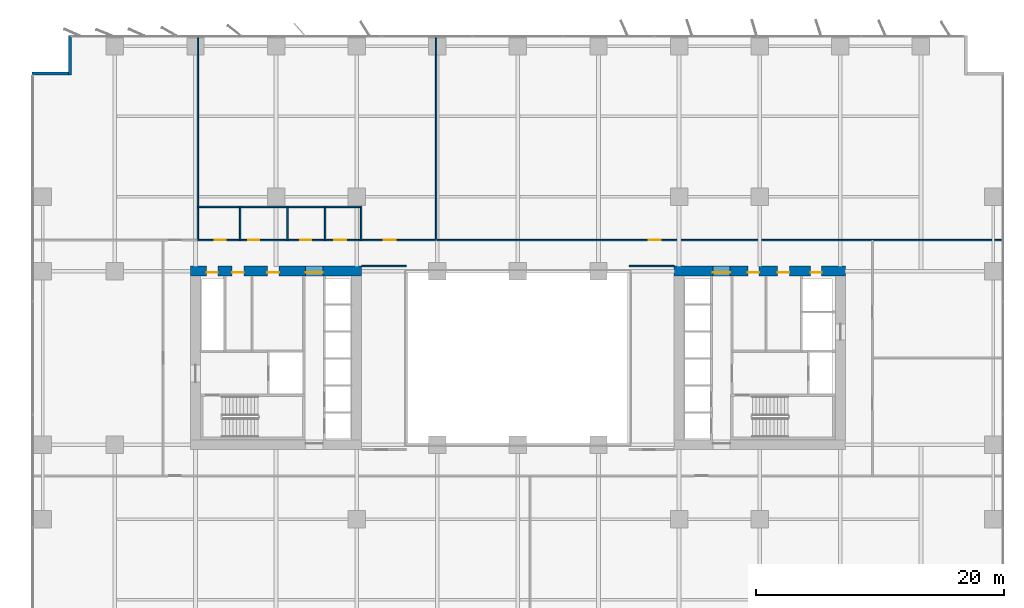
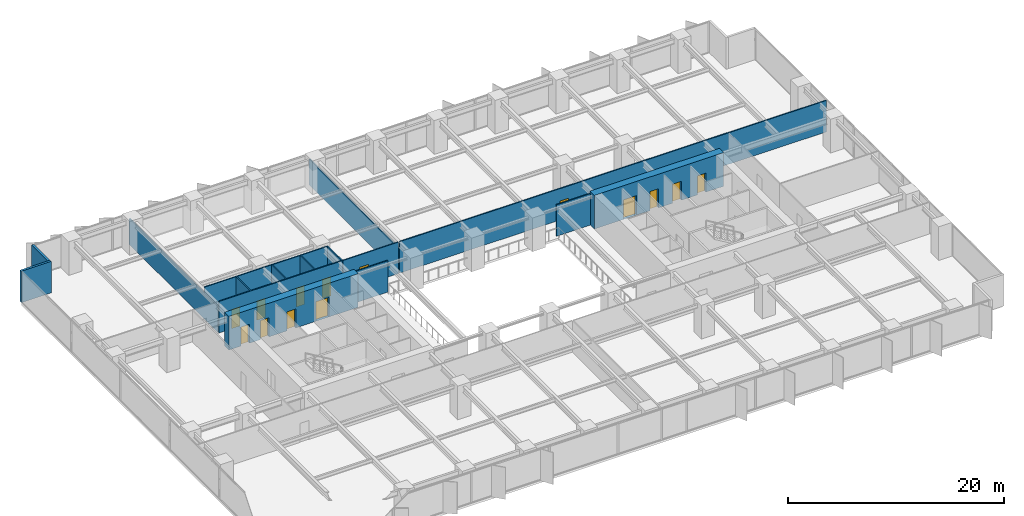
# One storey, part 15 of 20: 16 walls, 14 doors, 14 openings.
"""IFC4 building model written with IfcOpenShell, lengths in metres."""

from ifc_helpers import new_model, si_unit, direction, frame, frame_2d, origin, place, context, subcontext, project, spatial, rectangle, extrude, material, layer, layer_set, type_object, element, fill, save


model = new_model("IFC4")

# Units and contexts
model_context = context("Model", 3, precision=1e-05, world=origin(), true_north=direction((0.0, 1.0)))
body_context = subcontext(model_context, "Body", "Model", "MODEL_VIEW")
ifc_project = project(units=[si_unit("LENGTHUNIT", "METRE"), si_unit("AREAUNIT", "SQUARE_METRE"), si_unit("VOLUMEUNIT", "CUBIC_METRE"), si_unit("PLANEANGLEUNIT", "RADIAN"), si_unit("MASSUNIT", "GRAM", prefix="KILO")], contexts=[model_context])

# Site, building, storey
site_placement = place(None, origin())
site = spatial("IfcSite", under=ifc_project, at=site_placement, CompositionType="ELEMENT")
building_placement = place(site_placement, origin())
building = spatial("IfcBuilding", under=site, at=building_placement, Name="Putna Gate Headquarters", CompositionType="ELEMENT")
storey_placement = place(building_placement, frame((0.0, 0.0, 27.800048828125)))
storey = spatial("IfcBuildingStorey", under=building, at=storey_placement, Name="L05", CompositionType="ELEMENT", Elevation=27.800048828125)

# Wall, openings, doors
ifc_material_1 = material(Name="Concrete C60/75", Category="concrete")
ifc_layer_1 = layer(ifc_material_1, 0.800048828125)
ifc_layer_set_1 = layer_set([ifc_layer_1], Name="Concrete C60/75")
wall_type_1 = type_object("IfcWallType", Name="WALL-CORE-800", PredefinedType="SHEAR", material=ifc_layer_set_1)
wall_1_placement = place(storey_placement, frame((12.60009765625, 33.0, 0.0), z_axis=(0.0, 0.0, 1.0), x_axis=(1.0, 0.0, 0.0)))
wall_1 = element("IfcWall", 1, at=wall_1_placement, inside=storey, type_object=wall_type_1, Name="L05 WC Split Core Shear Wall N", PredefinedType="SHEAR", context=body_context, shape_type="SweptSolid", body=[
    extrude(rectangle(XDim=13.7998046875, YDim=0.800048828125, at=frame_2d((6.89990234375, 0.0))), origin(), (0.0, 0.0, 1.0), 3.800048828125),
])
opening_1_placement = place(wall_1_placement, frame((1.300048828125, 0.0, 0.0)))
opening_1 = element("IfcOpeningElement", 2, at=opening_1_placement, cuts=wall_1, Name="Opening RD-90", PredefinedType="OPENING", context=body_context, shape_type="SweptSolid", body=[
    extrude(rectangle(XDim=0.89990234375, YDim=2.14990234375, at=frame_2d((0.449951171875, 1.074951171875))), frame((0.0, 0.409912109375, 0.0), z_axis=(0.0, -1.0, 0.0), x_axis=(1.0, 0.0, 0.0)), (0.0, 0.0, 1.0), 0.820068359375),
])
opening_2_placement = place(wall_1_placement, frame((3.35009765625, 0.0, 0.0)))
opening_2 = element("IfcOpeningElement", 3, at=opening_2_placement, cuts=wall_1, Name="Opening IDS-95", PredefinedType="OPENING", context=body_context, shape_type="SweptSolid", body=[
    extrude(rectangle(XDim=0.949951171875, YDim=2.14990234375, at=frame_2d((0.47509765625, 1.074951171875))), frame((0.0, 0.409912109375, 0.0), z_axis=(0.0, -1.0, 0.0), x_axis=(1.0, 0.0, 0.0)), (0.0, 0.0, 1.0), 0.820068359375),
])
opening_3_placement = place(wall_1_placement, frame((6.199951171875, 0.0, 0.0)))
opening_3 = element("IfcOpeningElement", 4, at=opening_3_placement, cuts=wall_1, Name="Opening IDS-95", PredefinedType="OPENING", context=body_context, shape_type="SweptSolid", body=[
    extrude(rectangle(XDim=0.949951171875, YDim=2.14990234375, at=frame_2d((0.47509765625, 1.074951171875))), frame((0.0, 0.409912109375, 0.0), z_axis=(0.0, -1.0, 0.0), x_axis=(1.0, 0.0, 0.0)), (0.0, 0.0, 1.0), 0.820068359375),
])
opening_4_placement = place(wall_1_placement, frame((9.280029296875, 0.0, 0.0)))
opening_4 = element("IfcOpeningElement", 5, at=opening_4_placement, cuts=wall_1, Name="Opening FDD-140", PredefinedType="OPENING", context=body_context, shape_type="SweptSolid", body=[
    extrude(rectangle(XDim=1.39990234375, YDim=2.199951171875, at=frame_2d((0.699951171875, 1.10009765625))), frame((0.0, 0.409912109375, 0.0), z_axis=(0.0, -1.0, 0.0), x_axis=(1.0, 0.0, 0.0)), (0.0, 0.0, 1.0), 0.820068359375),
])
ifc_material_2 = material(Name="Double steel fire door", Category="steel")
door_type_1 = type_object("IfcDoorType", Name="DOOR-FIRE-DBL-1400", OperationType="DOUBLE_DOOR_SINGLE_SWING", PredefinedType="DOOR", material=ifc_material_2)
door_1_placement = place(opening_4_placement, origin())
door_1 = element("IfcDoor", 6, at=door_1_placement, inside=storey, type_object=door_type_1, Name="L05 West Lift Lobby North Door", OperationType="DOUBLE_DOOR_SINGLE_SWING", OverallHeight=2.199951171875, OverallWidth=1.39990234375, PredefinedType="DOOR", context=body_context, shape_type="SweptSolid", body=[
    extrude(rectangle(XDim=1.39990234375, YDim=2.199951171875, at=frame_2d((0.699951171875, 1.10009765625))), frame((0.0, -0.0751953125, 0.0), z_axis=(0.0, -1.0, 0.0), x_axis=(1.0, 0.0, 0.0)), (0.0, 0.0, 1.0), 0.050048828125),
])
fill(opening_4, door_1)
ifc_material_3 = material(Name="Fire-rated service timber door", Category="wood")
door_type_2 = type_object("IfcDoorType", Name="DOOR-INT-950", OperationType="NOTDEFINED", PredefinedType="DOOR", material=ifc_material_3)
door_2_placement = place(opening_2_placement, origin())
door_2 = element("IfcDoor", 7, at=door_2_placement, inside=storey, type_object=door_type_2, Name="L05 Archive Store Door", OperationType="SINGLE_SWING_LEFT", OverallHeight=2.14990234375, OverallWidth=0.949951171875, PredefinedType="DOOR", context=body_context, shape_type="SweptSolid", body=[
    extrude(rectangle(XDim=0.949951171875, YDim=2.14990234375, at=frame_2d((0.47509765625, 1.074951171875))), frame((0.0, -0.0751953125, 0.0), z_axis=(0.0, -1.0, 0.0), x_axis=(1.0, 0.0, 0.0)), (0.0, 0.0, 1.0), 0.050048828125),
])
fill(opening_2, door_2)
door_3_placement = place(opening_3_placement, origin())
door_3 = element("IfcDoor", 8, at=door_3_placement, inside=storey, type_object=door_type_2, Name="L05 Switchgear Plant Door", OperationType="SINGLE_SWING_RIGHT", OverallHeight=2.14990234375, OverallWidth=0.949951171875, PredefinedType="DOOR", context=body_context, shape_type="SweptSolid", body=[
    extrude(rectangle(XDim=0.949951171875, YDim=2.14990234375, at=frame_2d((0.47509765625, 1.074951171875))), frame((0.0, -0.0751953125, 0.0), z_axis=(0.0, -1.0, 0.0), x_axis=(1.0, 0.0, 0.0)), (0.0, 0.0, 1.0), 0.050048828125),
])
fill(opening_3, door_3)
ifc_material_4 = material(Name="Steel riser access fire door", Category="steel")
door_type_3 = type_object("IfcDoorType", Name="DOOR-RISER-900", OperationType="NOTDEFINED", PredefinedType="DOOR", material=ifc_material_4)
door_4_placement = place(opening_1_placement, origin())
door_4 = element("IfcDoor", 9, at=door_4_placement, inside=storey, type_object=door_type_3, Name="L05 West Riser Access Door", OperationType="SINGLE_SWING_RIGHT", OverallHeight=2.14990234375, OverallWidth=0.89990234375, PredefinedType="DOOR", context=body_context, shape_type="SweptSolid", body=[
    extrude(rectangle(XDim=0.89990234375, YDim=2.14990234375, at=frame_2d((0.449951171875, 1.074951171875))), frame((0.0, -0.0751953125, 0.0), z_axis=(0.0, -1.0, 0.0), x_axis=(1.0, 0.0, 0.0)), (0.0, 0.0, 1.0), 0.050048828125),
])
fill(opening_1, door_4)

wall_2_placement = place(storey_placement, frame((51.60009765625, 33.0, 0.0), z_axis=(0.0, 0.0, 1.0), x_axis=(1.0, 0.0, 0.0)))
wall_2 = element("IfcWall", 10, at=wall_2_placement, inside=storey, type_object=wall_type_1, Name="L05 EC Split Core Shear Wall N", PredefinedType="SHEAR", context=body_context, shape_type="SweptSolid", body=[
    extrude(rectangle(XDim=13.7998046875, YDim=0.800048828125, at=frame_2d((6.89990234375, 0.0))), origin(), (0.0, 0.0, 1.0), 3.800048828125),
])
opening_5_placement = place(wall_2_placement, frame((3.1201171875, 0.0, 0.0)))
opening_5 = element("IfcOpeningElement", 11, at=opening_5_placement, cuts=wall_2, Name="Opening FDD-140", PredefinedType="OPENING", context=body_context, shape_type="SweptSolid", body=[
    extrude(rectangle(XDim=1.39990234375, YDim=2.199951171875, at=frame_2d((0.699951171875, 1.10009765625))), frame((0.0, 0.409912109375, 0.0), z_axis=(0.0, -1.0, 0.0), x_axis=(1.0, 0.0, 0.0)), (0.0, 0.0, 1.0), 0.820068359375),
])
opening_6_placement = place(wall_2_placement, frame((11.0, 0.0, 0.0)))
opening_6 = element("IfcOpeningElement", 12, at=opening_6_placement, cuts=wall_2, Name="Opening RD-90", PredefinedType="OPENING", context=body_context, shape_type="SweptSolid", body=[
    extrude(rectangle(XDim=0.89990234375, YDim=2.14990234375, at=frame_2d((0.449951171875, 1.074951171875))), frame((0.0, 0.409912109375, 0.0), z_axis=(0.0, -1.0, 0.0), x_axis=(1.0, 0.0, 0.0)), (0.0, 0.0, 1.0), 0.820068359375),
])
opening_7_placement = place(wall_2_placement, frame((5.949951171875, 0.0, 0.0)))
opening_7 = element("IfcOpeningElement", 13, at=opening_7_placement, cuts=wall_2, Name="Opening IDS-90", PredefinedType="OPENING", context=body_context, shape_type="SweptSolid", body=[
    extrude(rectangle(XDim=0.89990234375, YDim=2.14990234375, at=frame_2d((0.449951171875, 1.074951171875))), frame((0.0, 0.409912109375, 0.0), z_axis=(0.0, -1.0, 0.0), x_axis=(1.0, 0.0, 0.0)), (0.0, 0.0, 1.0), 0.820068359375),
])
opening_8_placement = place(wall_2_placement, frame((8.35009765625, 0.0, 0.0)))
opening_8 = element("IfcOpeningElement", 14, at=opening_8_placement, cuts=wall_2, Name="Opening IDS-95", PredefinedType="OPENING", context=body_context, shape_type="SweptSolid", body=[
    extrude(rectangle(XDim=0.949951171875, YDim=2.14990234375, at=frame_2d((0.47509765625, 1.074951171875))), frame((0.0, 0.409912109375, 0.0), z_axis=(0.0, -1.0, 0.0), x_axis=(1.0, 0.0, 0.0)), (0.0, 0.0, 1.0), 0.820068359375),
])
door_5_placement = place(opening_5_placement, origin())
door_5 = element("IfcDoor", 15, at=door_5_placement, inside=storey, type_object=door_type_1, Name="L05 East Lift Lobby North Door", OperationType="DOUBLE_DOOR_SINGLE_SWING", OverallHeight=2.199951171875, OverallWidth=1.39990234375, PredefinedType="DOOR", context=body_context, shape_type="SweptSolid", body=[
    extrude(rectangle(XDim=1.39990234375, YDim=2.199951171875, at=frame_2d((0.699951171875, 1.10009765625))), frame((0.0, -0.0751953125, 0.0), z_axis=(0.0, -1.0, 0.0), x_axis=(1.0, 0.0, 0.0)), (0.0, 0.0, 1.0), 0.050048828125),
])
fill(opening_5, door_5)
ifc_material_5 = material(Name="Fire-rated utility door")
door_type_4 = type_object("IfcDoorType", Name="DOOR-INT-900", OperationType="NOTDEFINED", PredefinedType="DOOR", material=ifc_material_5)
door_6_placement = place(opening_7_placement, origin())
door_6 = element("IfcDoor", 16, at=door_6_placement, inside=storey, type_object=door_type_4, Name="L05 Telecoms Plant Door", OperationType="SINGLE_SWING_LEFT", OverallHeight=2.14990234375, OverallWidth=0.89990234375, PredefinedType="DOOR", context=body_context, shape_type="SweptSolid", body=[
    extrude(rectangle(XDim=0.89990234375, YDim=2.14990234375, at=frame_2d((0.449951171875, 1.074951171875))), frame((0.0, -0.0751953125, 0.0), z_axis=(0.0, -1.0, 0.0), x_axis=(1.0, 0.0, 0.0)), (0.0, 0.0, 1.0), 0.050048828125),
])
fill(opening_7, door_6)
door_7_placement = place(opening_8_placement, origin())
door_7 = element("IfcDoor", 17, at=door_7_placement, inside=storey, type_object=door_type_2, Name="L05 Supplies Store Door", OperationType="SINGLE_SWING_RIGHT", OverallHeight=2.14990234375, OverallWidth=0.949951171875, PredefinedType="DOOR", context=body_context, shape_type="SweptSolid", body=[
    extrude(rectangle(XDim=0.949951171875, YDim=2.14990234375, at=frame_2d((0.47509765625, 1.074951171875))), frame((0.0, -0.0751953125, 0.0), z_axis=(0.0, -1.0, 0.0), x_axis=(1.0, 0.0, 0.0)), (0.0, 0.0, 1.0), 0.050048828125),
])
fill(opening_8, door_7)
door_8_placement = place(opening_6_placement, origin())
door_8 = element("IfcDoor", 18, at=door_8_placement, inside=storey, type_object=door_type_3, Name="L05 East Riser Access Door", OperationType="SINGLE_SWING_LEFT", OverallHeight=2.14990234375, OverallWidth=0.89990234375, PredefinedType="DOOR", context=body_context, shape_type="SweptSolid", body=[
    extrude(rectangle(XDim=0.89990234375, YDim=2.14990234375, at=frame_2d((0.449951171875, 1.074951171875))), frame((0.0, -0.0751953125, 0.0), z_axis=(0.0, -1.0, 0.0), x_axis=(1.0, 0.0, 0.0)), (0.0, 0.0, 1.0), 0.050048828125),
])
fill(opening_6, door_8)

# Walls
ifc_material_6 = material(Name="Precast concrete C40/50", Category="concrete")
ifc_layer_2 = layer(ifc_material_6, 0.239990234375)
ifc_layer_set_2 = layer_set([ifc_layer_2], Name="Precast concrete C40/50")
wall_type_2 = type_object("IfcWallType", Name="WALL-EXT-TERR-240", PredefinedType="STANDARD", material=ifc_layer_set_2)
for number, where, z_axis, x_axis, name in (
    (19, (2.8798828125, 48.800048828125, 0.0), (0.0, 0.0, 1.0), (0.0, 1.0, 0.0), "L05 Corner Notch Return Wall NW-V"),
    (20, (-0.199951171875, 48.919921875, 0.0), (0.0, 0.0, 1.0), (1.0, 0.0, 0.0), "L05 Corner Notch Return Wall NW-H"),
):
    element("IfcWall", number, at=place(storey_placement, frame(where, z_axis=z_axis, x_axis=x_axis)), inside=storey, type_object=wall_type_2, Name=name, PredefinedType="STANDARD", context=body_context, shape_type="SweptSolid", body=[
        extrude(rectangle(XDim=3.199951171875, YDim=0.239990234375, at=frame_2d((1.60009765625, 0.0))), origin(), (0.0, 0.0, 1.0), 3.550048828125),
    ])
ifc_material_7 = material(Name="Acoustic gypsum board on metal stud")
ifc_layer_3 = layer(ifc_material_7, 0.1201171875)
ifc_layer_set_3 = layer_set([ifc_layer_3], Name="Acoustic gypsum board on metal stud")
wall_type_3 = type_object("IfcWallType", Name="WALL-PART-120", PredefinedType="PARTITIONING", material=ifc_layer_set_3)
for number, where, z_axis, x_axis, name in (
    (21, (26.39990234375, 33.39990234375, 0.0), (0.0, 0.0, 1.0), (1.0, 0.0, 0.0), "L05 Interior Wall PART-L05-ATR-W-N"),
    (22, (48.0, 33.39990234375, 0.0), (0.0, 0.0, 1.0), (1.0, 0.0, 0.0), "L05 Interior Wall PART-L05-ATR-E-N"),
):
    element("IfcWall", number, at=place(storey_placement, frame(where, z_axis=z_axis, x_axis=x_axis)), inside=storey, type_object=wall_type_3, Name=name, PredefinedType="PARTITIONING", context=body_context, shape_type="SweptSolid", body=[
        extrude(rectangle(XDim=3.60009765625, YDim=0.1201171875, at=frame_2d((1.800048828125, 0.0))), origin(), (0.0, 0.0, 1.0), 3.550048828125),
    ])
for number, where, z_axis, x_axis, name in (
    (23, (13.199951171875, 35.56005859375, 0.0), (0.0, 0.0, 1.0), (0.0, 1.0, 0.0), "L05 Interior Wall PART-L05-NB-DIV-01"),
    (24, (32.39990234375, 35.56005859375, 0.0), (0.0, 0.0, 1.0), (0.0, 1.0, 0.0), "L05 Interior Wall PART-L05-NB-DIV-02"),
):
    element("IfcWall", number, at=place(storey_placement, frame(where, z_axis=z_axis, x_axis=x_axis)), inside=storey, type_object=wall_type_3, Name=name, PredefinedType="PARTITIONING", context=body_context, shape_type="SweptSolid", body=[
        extrude(rectangle(XDim=16.419921875, YDim=0.1201171875, at=frame_2d((8.2099609375, 0.0))), origin(), (0.0, 0.0, 1.0), 2.89990234375),
    ])

# Wall, openings, doors
ifc_material_8 = material(Name="Fire-rated gypsum board on metal stud")
ifc_layer_4 = layer(ifc_material_8, 0.1201171875)
ifc_layer_set_4 = layer_set([ifc_layer_4], Name="Fire-rated gypsum board on metal stud")
wall_type_4 = type_object("IfcWallType", Name="WALL-PART-120-RATED", PredefinedType="PARTITIONING", material=ifc_layer_set_4)
wall_3_placement = place(storey_placement, frame((13.199951171875, 35.5, 0.0), z_axis=(0.0, 0.0, 1.0), x_axis=(1.0, 0.0, 0.0)))
wall_3 = element("IfcWall", 25, at=wall_3_placement, inside=storey, type_object=wall_type_4, Name="L05 Interior Wall PART-L05-SAN-CW", PredefinedType="PARTITIONING", context=body_context, shape_type="SweptSolid", body=[
    extrude(rectangle(XDim=13.16015625, YDim=0.1201171875, at=frame_2d((6.580078125, 0.0))), origin(), (0.0, 0.0, 1.0), 3.550048828125),
])
opening_9_placement = place(wall_3_placement, frame((1.35009765625, 0.0, 0.0)))
opening_9 = element("IfcOpeningElement", 26, at=opening_9_placement, cuts=wall_3, Name="Opening FD-90", PredefinedType="OPENING", context=body_context, shape_type="SweptSolid", body=[
    extrude(rectangle(XDim=0.89990234375, YDim=2.14990234375, at=frame_2d((0.449951171875, 1.074951171875))), frame((0.0, 0.070068359375, 0.0), z_axis=(0.0, -1.0, 0.0), x_axis=(1.0, 0.0, 0.0)), (0.0, 0.0, 1.0), 0.14013671875),
])
opening_10_placement = place(wall_3_placement, frame((4.050048828125, 0.0, 0.0)))
opening_10 = element("IfcOpeningElement", 27, at=opening_10_placement, cuts=wall_3, Name="Opening FD-90", PredefinedType="OPENING", context=body_context, shape_type="SweptSolid", body=[
    extrude(rectangle(XDim=0.89990234375, YDim=2.14990234375, at=frame_2d((0.449951171875, 1.074951171875))), frame((0.0, 0.070068359375, 0.0), z_axis=(0.0, -1.0, 0.0), x_axis=(1.0, 0.0, 0.0)), (0.0, 0.0, 1.0), 0.14013671875),
])
opening_11_placement = place(wall_3_placement, frame((8.25, 0.0, 0.0)))
opening_11 = element("IfcOpeningElement", 28, at=opening_11_placement, cuts=wall_3, Name="Opening FD-90", PredefinedType="OPENING", context=body_context, shape_type="SweptSolid", body=[
    extrude(rectangle(XDim=0.89990234375, YDim=2.14990234375, at=frame_2d((0.449951171875, 1.074951171875))), frame((0.0, 0.070068359375, 0.0), z_axis=(0.0, -1.0, 0.0), x_axis=(1.0, 0.0, 0.0)), (0.0, 0.0, 1.0), 0.14013671875),
])
opening_12_placement = place(wall_3_placement, frame((11.0, 0.0, 0.0)))
opening_12 = element("IfcOpeningElement", 29, at=opening_12_placement, cuts=wall_3, Name="Opening FD-95", PredefinedType="OPENING", context=body_context, shape_type="SweptSolid", body=[
    extrude(rectangle(XDim=0.949951171875, YDim=2.14990234375, at=frame_2d((0.47509765625, 1.074951171875))), frame((0.0, 0.070068359375, 0.0), z_axis=(0.0, -1.0, 0.0), x_axis=(1.0, 0.0, 0.0)), (0.0, 0.0, 1.0), 0.14013671875),
])
ifc_material_9 = material(Name="Acoustic washroom fire door")
door_type_5 = type_object("IfcDoorType", Name="DOOR-FIRE-900", OperationType="NOTDEFINED", PredefinedType="DOOR", material=ifc_material_9)
door_9_placement = place(opening_9_placement, origin())
door_9 = element("IfcDoor", 30, at=door_9_placement, inside=storey, type_object=door_type_5, Name="L05 Washroom Male Door", OperationType="SINGLE_SWING_LEFT", OverallHeight=2.14990234375, OverallWidth=0.89990234375, PredefinedType="DOOR", context=body_context, shape_type="SweptSolid", body=[
    extrude(rectangle(XDim=0.89990234375, YDim=2.14990234375, at=frame_2d((0.449951171875, 1.074951171875))), frame((0.0, 0.02490234375, 0.0), z_axis=(0.0, -1.0, 0.0), x_axis=(1.0, 0.0, 0.0)), (0.0, 0.0, 1.0), 0.050048828125),
])
fill(opening_9, door_9)
door_10_placement = place(opening_10_placement, origin())
door_10 = element("IfcDoor", 31, at=door_10_placement, inside=storey, type_object=door_type_5, Name="L05 Washroom Female Door", OperationType="SINGLE_SWING_RIGHT", OverallHeight=2.14990234375, OverallWidth=0.89990234375, PredefinedType="DOOR", context=body_context, shape_type="SweptSolid", body=[
    extrude(rectangle(XDim=0.89990234375, YDim=2.14990234375, at=frame_2d((0.449951171875, 1.074951171875))), frame((0.0, 0.02490234375, 0.0), z_axis=(0.0, -1.0, 0.0), x_axis=(1.0, 0.0, 0.0)), (0.0, 0.0, 1.0), 0.050048828125),
])
fill(opening_10, door_10)
door_11_placement = place(opening_11_placement, origin())
door_11 = element("IfcDoor", 32, at=door_11_placement, inside=storey, type_object=door_type_5, Name="L05 Accessible WC Door", OperationType="SINGLE_SWING_LEFT", OverallHeight=2.14990234375, OverallWidth=0.89990234375, PredefinedType="DOOR", context=body_context, shape_type="SweptSolid", body=[
    extrude(rectangle(XDim=0.89990234375, YDim=2.14990234375, at=frame_2d((0.449951171875, 1.074951171875))), frame((0.0, 0.02490234375, 0.0), z_axis=(0.0, -1.0, 0.0), x_axis=(1.0, 0.0, 0.0)), (0.0, 0.0, 1.0), 0.050048828125),
])
fill(opening_11, door_11)
ifc_material_10 = material(Name="Acoustic timber fire door", Category="wood")
door_type_6 = type_object("IfcDoorType", Name="DOOR-FIRE-950", OperationType="NOTDEFINED", PredefinedType="DOOR", material=ifc_material_10)
door_12_placement = place(opening_12_placement, origin())
door_12 = element("IfcDoor", 33, at=door_12_placement, inside=storey, type_object=door_type_6, Name="L05 Staff Pantry and Tea Point Door", OperationType="SINGLE_SWING_RIGHT", OverallHeight=2.14990234375, OverallWidth=0.949951171875, PredefinedType="DOOR", context=body_context, shape_type="SweptSolid", body=[
    extrude(rectangle(XDim=0.949951171875, YDim=2.14990234375, at=frame_2d((0.47509765625, 1.074951171875))), frame((0.0, 0.02490234375, 0.0), z_axis=(0.0, -1.0, 0.0), x_axis=(1.0, 0.0, 0.0)), (0.0, 0.0, 1.0), 0.050048828125),
])
fill(opening_12, door_12)

# Walls
wall_4_placement = place(storey_placement, frame((13.199951171875, 38.179931640625, 0.0), z_axis=(0.0, 0.0, 1.0), x_axis=(1.0, 0.0, 0.0)))
element("IfcWall", 34, at=wall_4_placement, inside=storey, type_object=wall_type_4, Name="L05 Interior Wall PART-L05-SAN-BACK", PredefinedType="PARTITIONING", context=body_context, shape_type="SweptSolid", body=[
    extrude(rectangle(XDim=13.16015625, YDim=0.1201171875, at=frame_2d((6.580078125, 0.0))), origin(), (0.0, 0.0, 1.0), 3.550048828125),
])
for number, where, z_axis, x_axis, name in (
    (35, (16.60009765625, 35.5, 0.0), (0.0, 0.0, 1.0), (0.0, 1.0, 0.0), "L05 Interior Wall PART-L05-SAN-DIV-1"),
    (36, (20.419921875, 35.5, 0.0), (0.0, 0.0, 1.0), (0.0, 1.0, 0.0), "L05 Interior Wall PART-L05-SAN-DIV-2"),
    (37, (23.4599609375, 35.5, 0.0), (0.0, 0.0, 1.0), (0.0, 1.0, 0.0), "L05 Interior Wall PART-L05-SAN-DIV-3"),
    (38, (26.360107421875, 35.5, 0.0), (0.0, 0.0, 1.0), (0.0, 1.0, 0.0), "L05 Interior Wall PART-L05-SAN-DIV-4"),
):
    element("IfcWall", number, at=place(storey_placement, frame(where, z_axis=z_axis, x_axis=x_axis)), inside=storey, type_object=wall_type_4, Name=name, PredefinedType="PARTITIONING", context=body_context, shape_type="SweptSolid", body=[
        extrude(rectangle(XDim=2.679931640625, YDim=0.1201171875, at=frame_2d((1.33984375, 0.0))), origin(), (0.0, 0.0, 1.0), 3.550048828125),
    ])

# Wall, opening, door
wall_5_placement = place(storey_placement, frame((26.419921875, 35.5, 0.0), z_axis=(0.0, 0.0, 1.0), x_axis=(1.0, 0.0, 0.0)))
wall_5 = element("IfcWall", 39, at=wall_5_placement, inside=storey, type_object=wall_type_4, Name="L05 Interior Wall PART-L05-NB-CW-02", PredefinedType="PARTITIONING", context=body_context, shape_type="SweptSolid", body=[
    extrude(rectangle(XDim=5.920166015625, YDim=0.1201171875, at=frame_2d((2.9599609375, 0.0))), origin(), (0.0, 0.0, 1.0), 3.550048828125),
])
opening_13_placement = place(wall_5_placement, frame((1.77587890625, 0.0, 0.0)))
opening_13 = element("IfcOpeningElement", 40, at=opening_13_placement, cuts=wall_5, Name="Opening FD-95", PredefinedType="OPENING", context=body_context, shape_type="SweptSolid", body=[
    extrude(rectangle(XDim=0.949951171875, YDim=2.14990234375, at=frame_2d((0.47509765625, 1.074951171875))), frame((0.0, 0.070068359375, 0.0), z_axis=(0.0, -1.0, 0.0), x_axis=(1.0, 0.0, 0.0)), (0.0, 0.0, 1.0), 0.14013671875),
])
door_13_placement = place(opening_13_placement, origin())
door_13 = element("IfcDoor", 41, at=door_13_placement, inside=storey, type_object=door_type_6, Name="L05 Primary Open Office Workplace Door", OperationType="SINGLE_SWING_RIGHT", OverallHeight=2.14990234375, OverallWidth=0.949951171875, PredefinedType="DOOR", context=body_context, shape_type="SweptSolid", body=[
    extrude(rectangle(XDim=0.949951171875, YDim=2.14990234375, at=frame_2d((0.47509765625, 1.074951171875))), frame((0.0, 0.02490234375, 0.0), z_axis=(0.0, -1.0, 0.0), x_axis=(1.0, 0.0, 0.0)), (0.0, 0.0, 1.0), 0.050048828125),
])
fill(opening_13, door_13)

wall_6_placement = place(storey_placement, frame((32.4599609375, 35.5, 0.0), z_axis=(0.0, 0.0, 1.0), x_axis=(1.0, 0.0, 0.0)))
wall_6 = element("IfcWall", 42, at=wall_6_placement, inside=storey, type_object=wall_type_4, Name="L05 Interior Wall PART-L05-NB-CW-03", PredefinedType="PARTITIONING", context=body_context, shape_type="SweptSolid", body=[
    extrude(rectangle(XDim=45.56005859375, YDim=0.1201171875, at=frame_2d((22.780029296875, 0.0))), origin(), (0.0, 0.0, 1.0), 3.550048828125),
])
opening_14_placement = place(wall_6_placement, frame((17.094970703125, 0.0, 0.0)))
opening_14 = element("IfcOpeningElement", 43, at=opening_14_placement, cuts=wall_6, Name="Opening FD-95", PredefinedType="OPENING", context=body_context, shape_type="SweptSolid", body=[
    extrude(rectangle(XDim=0.949951171875, YDim=2.14990234375, at=frame_2d((0.47509765625, 1.074951171875))), frame((0.0, 0.070068359375, 0.0), z_axis=(0.0, -1.0, 0.0), x_axis=(1.0, 0.0, 0.0)), (0.0, 0.0, 1.0), 0.14013671875),
])
door_14_placement = place(opening_14_placement, origin())
door_14 = element("IfcDoor", 44, at=door_14_placement, inside=storey, type_object=door_type_6, Name="L05 Collaborative Breakout Lounge 1 Door", OperationType="SINGLE_SWING_LEFT", OverallHeight=2.14990234375, OverallWidth=0.949951171875, PredefinedType="DOOR", context=body_context, shape_type="SweptSolid", body=[
    extrude(rectangle(XDim=0.949951171875, YDim=2.14990234375, at=frame_2d((0.47509765625, 1.074951171875))), frame((0.0, 0.02490234375, 0.0), z_axis=(0.0, -1.0, 0.0), x_axis=(1.0, 0.0, 0.0)), (0.0, 0.0, 1.0), 0.050048828125),
])
fill(opening_14, door_14)

save(model, "model.ifc")
